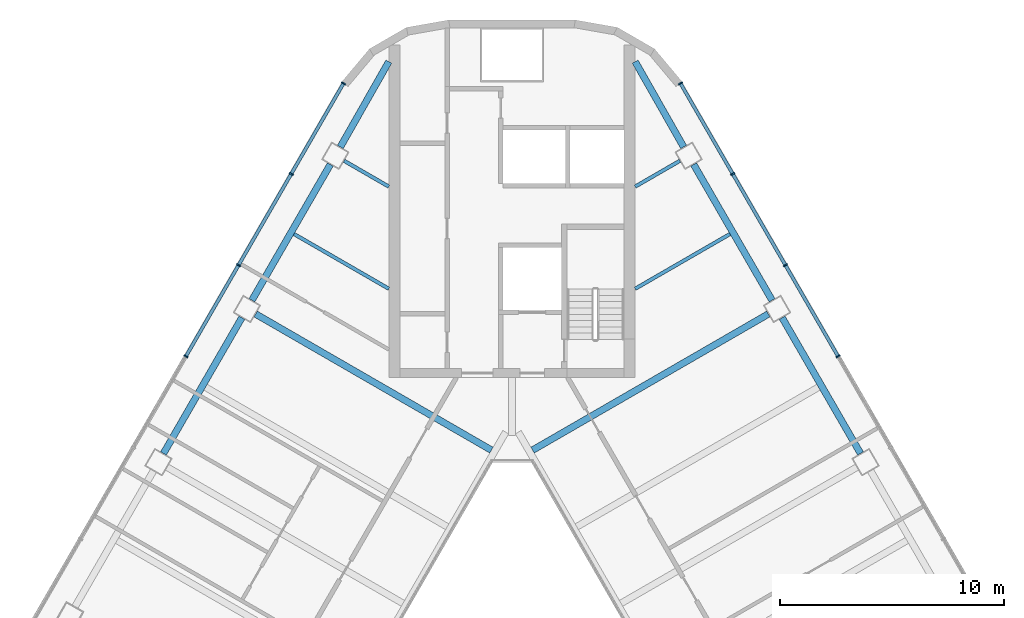
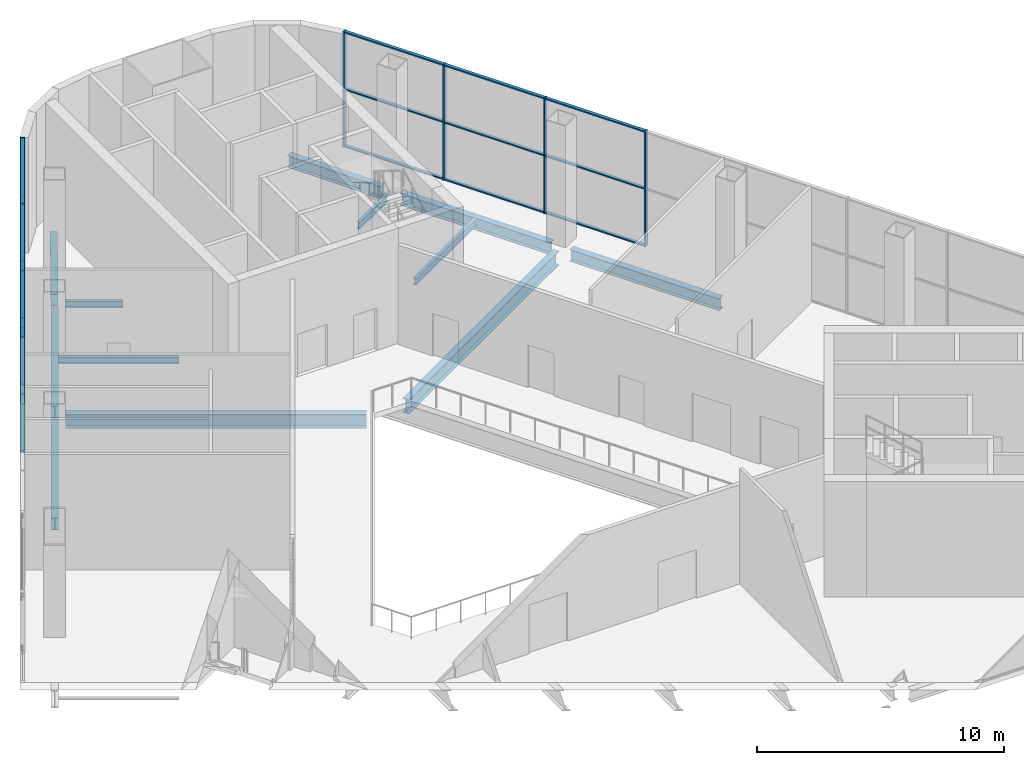
# One storey, part 5 of 14: 26 members, 12 beams, 2 elements without a shape of their own.
"""IFC4 building model written with IfcOpenShell, lengths in metres."""

from ifc_helpers import new_model, si_unit, direction, frame, origin, origin_2d, place, context, subcontext, project, spatial, rectangle, i_section, extrude, material, layer, layer_set, material_profile, profile_set, type_object, element, aggregate, save


model = new_model("IFC4")

# Units and contexts
model_context = context("Model", 3, precision=1e-05, world=origin(), true_north=direction((0.0, 1.0)))
body_context = subcontext(model_context, "Body", "Model", "MODEL_VIEW")
ifc_project = project(units=[si_unit("LENGTHUNIT", "METRE"), si_unit("AREAUNIT", "SQUARE_METRE"), si_unit("VOLUMEUNIT", "CUBIC_METRE"), si_unit("PLANEANGLEUNIT", "RADIAN"), si_unit("MASSUNIT", "GRAM", prefix="KILO")], contexts=[model_context])

# Site, building, storey
site_placement = place(None, origin())
site = spatial("IfcSite", under=ifc_project, at=site_placement, CompositionType="ELEMENT")
building_placement = place(site_placement, origin())
building = spatial("IfcBuilding", under=site, at=building_placement, Name="Apuvela Tower Hotel", CompositionType="ELEMENT")
storey_placement = place(building_placement, frame((0.0, 0.0, 131.60009765625)))
storey = spatial("IfcBuildingStorey", under=building, at=storey_placement, Name="L31", CompositionType="ELEMENT", Elevation=131.60009765625)

# Curtain wall, members
ifc_material_1 = material(Name="Aluminium 6063-T6, dark bronze anodised", Category="aluminium")
ifc_layer = layer(ifc_material_1, 0.199951171875)
ifc_layer_set = layer_set([ifc_layer], Name="ENV-CW-S")
curtain_wall_type = type_object("IfcCurtainWallType", Name="ENV-CW-S", PredefinedType="NOTDEFINED", material=ifc_layer_set)
curtain_wall_1_placement = place(storey_placement, origin())
curtain_wall_1 = element("IfcCurtainWall", 1, at=curtain_wall_1_placement, inside=storey, type_object=curtain_wall_type, Name="Curtain wall CW-S NE L31", PredefinedType="NOTDEFINED")
ifc_material_profile_1 = material_profile(ifc_material_1, rectangle(XDim=0.199951171875, YDim=0.06494140625, at=origin_2d()), Name="AL 65x200")
ifc_profile_set_1 = profile_set([ifc_material_profile_1], Name="Aluminium 6063-T6, dark bronze anodised")
member_type_1 = type_object("IfcMemberType", Name="ENV-MULLION-65x200", PredefinedType="MULLION", material=ifc_profile_set_1)
member_1_placement = place(storey_placement, frame((14.5615234375, 13.8388671875, 0.0), z_axis=(0.0, 0.0, 1.0), x_axis=(-0.866025924721, -0.49999909771, 0.0)))
member_1 = element("IfcMember", 2, at=member_1_placement, type_object=member_type_1, Name="CW-S mullion 6", PredefinedType="MULLION", context=body_context, shape_type="SweptSolid", body=[
    extrude(rectangle(XDim=0.199951171875, YDim=0.06494140625, at=origin_2d()), origin(), (0.0, 0.0, 1.0), 5.699951171875),
])
member_2_placement = place(storey_placement, frame((12.20947265625, 17.91259765625, 0.0), z_axis=(0.0, 0.0, 1.0), x_axis=(-0.866025924721, -0.49999909771, 0.0)))
member_2 = element("IfcMember", 3, at=member_2_placement, type_object=member_type_1, Name="CW-S mullion 7", PredefinedType="MULLION", context=body_context, shape_type="SweptSolid", body=[
    extrude(rectangle(XDim=0.199951171875, YDim=0.06494140625, at=origin_2d()), origin(), (0.0, 0.0, 1.0), 5.699951171875),
])
member_3_placement = place(storey_placement, frame((9.857666015625, 21.986328125, 0.0), z_axis=(0.0, 0.0, 1.0), x_axis=(-0.866025924721, -0.49999909771, 0.0)))
member_3 = element("IfcMember", 4, at=member_3_placement, type_object=member_type_1, Name="CW-S mullion 8", PredefinedType="MULLION", context=body_context, shape_type="SweptSolid", body=[
    extrude(rectangle(XDim=0.199951171875, YDim=0.06494140625, at=origin_2d()), origin(), (0.0, 0.0, 1.0), 5.699951171875),
])
member_4_placement = place(storey_placement, frame((7.521728515625, 26.03173828125, 0.0), z_axis=(0.0, 0.0, 1.0), x_axis=(-0.866025924721, -0.49999909771, 0.0)))
member_4 = element("IfcMember", 5, at=member_4_placement, type_object=member_type_1, Name="CW-S mullion 9", PredefinedType="MULLION", context=body_context, shape_type="SweptSolid", body=[
    extrude(rectangle(XDim=0.199951171875, YDim=0.06494140625, at=origin_2d()), origin(), (0.0, 0.0, 1.0), 5.699951171875),
])

curtain_wall_2_placement = place(storey_placement, origin())
curtain_wall_2 = element("IfcCurtainWall", 6, at=curtain_wall_2_placement, inside=storey, type_object=curtain_wall_type, Name="Curtain wall CW-S NW L31", PredefinedType="NOTDEFINED")
member_5_placement = place(storey_placement, frame((-7.521728515625, 26.03173828125, 0.0), z_axis=(0.0, 0.0, 1.0), x_axis=(0.866025924721, -0.49999909771, 0.0)))
member_5 = element("IfcMember", 7, at=member_5_placement, type_object=member_type_1, Name="CW-S mullion 1", PredefinedType="MULLION", context=body_context, shape_type="SweptSolid", body=[
    extrude(rectangle(XDim=0.199951171875, YDim=0.06494140625, at=origin_2d()), origin(), (0.0, 0.0, 1.0), 5.699951171875),
])
member_6_placement = place(storey_placement, frame((-9.857666015625, 21.986328125, 0.0), z_axis=(0.0, 0.0, 1.0), x_axis=(0.866025924721, -0.49999909771, 0.0)))
member_6 = element("IfcMember", 8, at=member_6_placement, type_object=member_type_1, Name="CW-S mullion 2", PredefinedType="MULLION", context=body_context, shape_type="SweptSolid", body=[
    extrude(rectangle(XDim=0.199951171875, YDim=0.06494140625, at=origin_2d()), origin(), (0.0, 0.0, 1.0), 5.699951171875),
])
member_7_placement = place(storey_placement, frame((-12.20947265625, 17.91259765625, 0.0), z_axis=(0.0, 0.0, 1.0), x_axis=(0.866025924721, -0.49999909771, 0.0)))
member_7 = element("IfcMember", 9, at=member_7_placement, type_object=member_type_1, Name="CW-S mullion 3", PredefinedType="MULLION", context=body_context, shape_type="SweptSolid", body=[
    extrude(rectangle(XDim=0.199951171875, YDim=0.06494140625, at=origin_2d()), origin(), (0.0, 0.0, 1.0), 5.699951171875),
])
member_8_placement = place(storey_placement, frame((-14.5615234375, 13.8388671875, 0.0), z_axis=(0.0, 0.0, 1.0), x_axis=(0.866025924721, -0.49999909771, 0.0)))
member_8 = element("IfcMember", 10, at=member_8_placement, type_object=member_type_1, Name="CW-S mullion 4", PredefinedType="MULLION", context=body_context, shape_type="SweptSolid", body=[
    extrude(rectangle(XDim=0.199951171875, YDim=0.06494140625, at=origin_2d()), origin(), (0.0, 0.0, 1.0), 5.699951171875),
])

# Member
ifc_material_profile_2 = material_profile(ifc_material_1, rectangle(XDim=0.14990234375, YDim=0.06494140625, at=origin_2d()), Name="AL 65x150 transom")
ifc_profile_set_2 = profile_set([ifc_material_profile_2], Name="Aluminium 6063-T6, dark bronze anodised")
member_type_2 = type_object("IfcMemberType", Name="ENV-TRANSOM-65x150", PredefinedType="USERDEFINED", material=ifc_profile_set_2)
member_9_placement = place(storey_placement, frame((14.545166015625, 13.866943359375, 0.032470703125), z_axis=(-0.499988210251, 0.866032210492, 0.0), x_axis=(-0.866032210492, -0.499988210251, 0.0)))
member_9 = element("IfcMember", 11, at=member_9_placement, type_object=member_type_2, Name="CW-S transom 6.1", ObjectType="TRANSOM", PredefinedType="USERDEFINED", context=body_context, shape_type="SweptSolid", body=[
    extrude(rectangle(XDim=0.14990234375, YDim=0.06494140625, at=origin_2d()), origin(), (0.0, 0.0, 1.0), 4.638671875),
])

member_10_placement = place(storey_placement, frame((14.545166015625, 13.866943359375, 2.849853515625), z_axis=(-0.499988210251, 0.866032210492, 0.0), x_axis=(-0.866032210492, -0.499988210251, 0.0)))
member_10 = element("IfcMember", 12, at=member_10_placement, type_object=member_type_2, Name="CW-S transom 6.2", ObjectType="TRANSOM", PredefinedType="USERDEFINED", context=body_context, shape_type="SweptSolid", body=[
    extrude(rectangle(XDim=0.14990234375, YDim=0.06494140625, at=origin_2d()), origin(), (0.0, 0.0, 1.0), 4.638671875),
])

member_11_placement = place(storey_placement, frame((14.545166015625, 13.866943359375, 5.66748046875), z_axis=(-0.499988210251, 0.866032210492, 0.0), x_axis=(-0.866032210492, -0.499988210251, 0.0)))
member_11 = element("IfcMember", 13, at=member_11_placement, type_object=member_type_2, Name="CW-S transom 6.3", ObjectType="TRANSOM", PredefinedType="USERDEFINED", context=body_context, shape_type="SweptSolid", body=[
    extrude(rectangle(XDim=0.14990234375, YDim=0.06494140625, at=origin_2d()), origin(), (0.0, 0.0, 1.0), 4.638671875),
])

member_12_placement = place(storey_placement, frame((12.193359375, 17.940673828125, 0.032470703125), z_axis=(-0.500027682067, 0.866009420946, 0.0), x_axis=(-0.866009420946, -0.500027682067, 0.0)))
member_12 = element("IfcMember", 14, at=member_12_placement, type_object=member_type_2, Name="CW-S transom 7.1", ObjectType="TRANSOM", PredefinedType="USERDEFINED", context=body_context, shape_type="SweptSolid", body=[
    extrude(rectangle(XDim=0.14990234375, YDim=0.06494140625, at=origin_2d()), origin(), (0.0, 0.0, 1.0), 4.638916015625),
])

member_13_placement = place(storey_placement, frame((12.193359375, 17.940673828125, 2.849853515625), z_axis=(-0.500027682067, 0.866009420946, 0.0), x_axis=(-0.866009420946, -0.500027682067, 0.0)))
member_13 = element("IfcMember", 15, at=member_13_placement, type_object=member_type_2, Name="CW-S transom 7.2", ObjectType="TRANSOM", PredefinedType="USERDEFINED", context=body_context, shape_type="SweptSolid", body=[
    extrude(rectangle(XDim=0.14990234375, YDim=0.06494140625, at=origin_2d()), origin(), (0.0, 0.0, 1.0), 4.638916015625),
])

member_14_placement = place(storey_placement, frame((12.193359375, 17.940673828125, 5.66748046875), z_axis=(-0.500027682067, 0.866009420946, 0.0), x_axis=(-0.866009420946, -0.500027682067, 0.0)))
member_14 = element("IfcMember", 16, at=member_14_placement, type_object=member_type_2, Name="CW-S transom 7.3", ObjectType="TRANSOM", PredefinedType="USERDEFINED", context=body_context, shape_type="SweptSolid", body=[
    extrude(rectangle(XDim=0.14990234375, YDim=0.06494140625, at=origin_2d()), origin(), (0.0, 0.0, 1.0), 4.638916015625),
])

member_15_placement = place(storey_placement, frame((9.84130859375, 22.014404296875, 0.032470703125), z_axis=(-0.500003839917, 0.866023186796, 0.0), x_axis=(-0.866023186796, -0.500003839917, 0.0)))
member_15 = element("IfcMember", 17, at=member_15_placement, type_object=member_type_2, Name="CW-S transom 8.1", ObjectType="TRANSOM", PredefinedType="USERDEFINED", context=body_context, shape_type="SweptSolid", body=[
    extrude(rectangle(XDim=0.14990234375, YDim=0.06494140625, at=origin_2d()), origin(), (0.0, 0.0, 1.0), 4.6064453125),
])

member_16_placement = place(storey_placement, frame((9.84130859375, 22.014404296875, 2.849853515625), z_axis=(-0.500003839917, 0.866023186796, 0.0), x_axis=(-0.866023186796, -0.500003839917, 0.0)))
member_16 = element("IfcMember", 18, at=member_16_placement, type_object=member_type_2, Name="CW-S transom 8.2", ObjectType="TRANSOM", PredefinedType="USERDEFINED", context=body_context, shape_type="SweptSolid", body=[
    extrude(rectangle(XDim=0.14990234375, YDim=0.06494140625, at=origin_2d()), origin(), (0.0, 0.0, 1.0), 4.6064453125),
])

member_17_placement = place(storey_placement, frame((9.84130859375, 22.014404296875, 5.66748046875), z_axis=(-0.500003839917, 0.866023186796, 0.0), x_axis=(-0.866023186796, -0.500003839917, 0.0)))
member_17 = element("IfcMember", 19, at=member_17_placement, type_object=member_type_2, Name="CW-S transom 8.3", ObjectType="TRANSOM", PredefinedType="USERDEFINED", context=body_context, shape_type="SweptSolid", body=[
    extrude(rectangle(XDim=0.14990234375, YDim=0.06494140625, at=origin_2d()), origin(), (0.0, 0.0, 1.0), 4.6064453125),
])

aggregate(curtain_wall_1, [member_1, member_2, member_3, member_4, member_9, member_10, member_11, member_12, member_13, member_14, member_15, member_16, member_17])

member_18_placement = place(storey_placement, frame((-7.5380859375, 26.003662109375, 0.032470703125), z_axis=(-0.500003839917, -0.866023186796, 0.0), x_axis=(0.866023186796, -0.500003839917, 0.0)))
member_18 = element("IfcMember", 20, at=member_18_placement, type_object=member_type_2, Name="CW-S transom 1.1", ObjectType="TRANSOM", PredefinedType="USERDEFINED", context=body_context, shape_type="SweptSolid", body=[
    extrude(rectangle(XDim=0.14990234375, YDim=0.06494140625, at=origin_2d()), origin(), (0.0, 0.0, 1.0), 4.6064453125),
])

member_19_placement = place(storey_placement, frame((-7.5380859375, 26.003662109375, 2.849853515625), z_axis=(-0.500003839917, -0.866023186796, 0.0), x_axis=(0.866023186796, -0.500003839917, 0.0)))
member_19 = element("IfcMember", 21, at=member_19_placement, type_object=member_type_2, Name="CW-S transom 1.2", ObjectType="TRANSOM", PredefinedType="USERDEFINED", context=body_context, shape_type="SweptSolid", body=[
    extrude(rectangle(XDim=0.14990234375, YDim=0.06494140625, at=origin_2d()), origin(), (0.0, 0.0, 1.0), 4.6064453125),
])

member_20_placement = place(storey_placement, frame((-7.5380859375, 26.003662109375, 5.66748046875), z_axis=(-0.500003839917, -0.866023186796, 0.0), x_axis=(0.866023186796, -0.500003839917, 0.0)))
member_20 = element("IfcMember", 22, at=member_20_placement, type_object=member_type_2, Name="CW-S transom 1.3", ObjectType="TRANSOM", PredefinedType="USERDEFINED", context=body_context, shape_type="SweptSolid", body=[
    extrude(rectangle(XDim=0.14990234375, YDim=0.06494140625, at=origin_2d()), origin(), (0.0, 0.0, 1.0), 4.6064453125),
])

member_21_placement = place(storey_placement, frame((-9.873779296875, 21.9580078125, 0.032470703125), z_axis=(-0.500027682067, -0.866009420946, 0.0), x_axis=(0.866009420946, -0.500027682067, 0.0)))
member_21 = element("IfcMember", 23, at=member_21_placement, type_object=member_type_2, Name="CW-S transom 2.1", ObjectType="TRANSOM", PredefinedType="USERDEFINED", context=body_context, shape_type="SweptSolid", body=[
    extrude(rectangle(XDim=0.14990234375, YDim=0.06494140625, at=origin_2d()), origin(), (0.0, 0.0, 1.0), 4.638916015625),
])

member_22_placement = place(storey_placement, frame((-9.873779296875, 21.9580078125, 2.849853515625), z_axis=(-0.500027682067, -0.866009420946, 0.0), x_axis=(0.866009420946, -0.500027682067, 0.0)))
member_22 = element("IfcMember", 24, at=member_22_placement, type_object=member_type_2, Name="CW-S transom 2.2", ObjectType="TRANSOM", PredefinedType="USERDEFINED", context=body_context, shape_type="SweptSolid", body=[
    extrude(rectangle(XDim=0.14990234375, YDim=0.06494140625, at=origin_2d()), origin(), (0.0, 0.0, 1.0), 4.638916015625),
])

member_23_placement = place(storey_placement, frame((-9.873779296875, 21.9580078125, 5.66748046875), z_axis=(-0.500027682067, -0.866009420946, 0.0), x_axis=(0.866009420946, -0.500027682067, 0.0)))
member_23 = element("IfcMember", 25, at=member_23_placement, type_object=member_type_2, Name="CW-S transom 2.3", ObjectType="TRANSOM", PredefinedType="USERDEFINED", context=body_context, shape_type="SweptSolid", body=[
    extrude(rectangle(XDim=0.14990234375, YDim=0.06494140625, at=origin_2d()), origin(), (0.0, 0.0, 1.0), 4.638916015625),
])

member_24_placement = place(storey_placement, frame((-12.225830078125, 17.88427734375, 0.032470703125), z_axis=(-0.499988210251, -0.866032210492, 0.0), x_axis=(0.866032210492, -0.499988210251, 0.0)))
member_24 = element("IfcMember", 26, at=member_24_placement, type_object=member_type_2, Name="CW-S transom 3.1", ObjectType="TRANSOM", PredefinedType="USERDEFINED", context=body_context, shape_type="SweptSolid", body=[
    extrude(rectangle(XDim=0.14990234375, YDim=0.06494140625, at=origin_2d()), origin(), (0.0, 0.0, 1.0), 4.638671875),
])

member_25_placement = place(storey_placement, frame((-12.225830078125, 17.88427734375, 2.849853515625), z_axis=(-0.499988210251, -0.866032210492, 0.0), x_axis=(0.866032210492, -0.499988210251, 0.0)))
member_25 = element("IfcMember", 27, at=member_25_placement, type_object=member_type_2, Name="CW-S transom 3.2", ObjectType="TRANSOM", PredefinedType="USERDEFINED", context=body_context, shape_type="SweptSolid", body=[
    extrude(rectangle(XDim=0.14990234375, YDim=0.06494140625, at=origin_2d()), origin(), (0.0, 0.0, 1.0), 4.638671875),
])

member_26_placement = place(storey_placement, frame((-12.225830078125, 17.88427734375, 5.66748046875), z_axis=(-0.499988210251, -0.866032210492, 0.0), x_axis=(0.866032210492, -0.499988210251, 0.0)))
member_26 = element("IfcMember", 28, at=member_26_placement, type_object=member_type_2, Name="CW-S transom 3.3", ObjectType="TRANSOM", PredefinedType="USERDEFINED", context=body_context, shape_type="SweptSolid", body=[
    extrude(rectangle(XDim=0.14990234375, YDim=0.06494140625, at=origin_2d()), origin(), (0.0, 0.0, 1.0), 4.638671875),
])

aggregate(curtain_wall_2, [member_5, member_6, member_7, member_8, member_18, member_19, member_20, member_21, member_22, member_23, member_24, member_25, member_26])

# Beams
ifc_material_2 = material(Name="Steel S355", Category="steel")
ifc_material_profile_3 = material_profile(ifc_material_2, i_section(OverallWidth=0.300048828125, OverallDepth=0.68994140625, WebThickness=0.014404296875, FlangeThickness=0.027099609375, at=origin_2d()), Name="HE 700 A")
ifc_profile_set_3 = profile_set([ifc_material_profile_3], Name="Steel S355")
beam_type_1 = type_object("IfcBeamType", Name="STR-B floor beam HE 700 A", PredefinedType="BEAM", material=ifc_profile_set_3)
for number, where, z_axis, x_axis, name in (
    (29, (11.447998046875, 15.731689453125, -0.59521484375), (-0.866025076934, -0.500000566121, 0.0), (0.500000566121, -0.866025076934, 0.0), "Floor beam B6 NE7"),
    (30, (-11.447998046875, 15.731689453125, -0.59521484375), (0.866025076934, -0.500000566121, 0.0), (0.500000566121, 0.866025076934, 0.0), "Floor beam B6 NW3"),
):
    element("IfcBeam", number, at=place(storey_placement, frame(where, z_axis=z_axis, x_axis=x_axis)), inside=storey, type_object=beam_type_1, Name=name, PredefinedType="BEAM", context=body_context, shape_type="SweptSolid", body=[
        extrude(i_section(OverallWidth=0.300048828125, OverallDepth=0.68994140625, WebThickness=0.014404296875, FlangeThickness=0.027099609375, at=origin_2d()), origin(), (0.0, 0.0, 1.0), 12.158203125),
    ])
ifc_material_profile_4 = material_profile(ifc_material_2, i_section(OverallWidth=0.159912109375, OverallDepth=0.330078125, WebThickness=0.007568359375, FlangeThickness=0.011474609375, at=origin_2d()), Name="IPE 330")
ifc_profile_set_4 = profile_set([ifc_material_profile_4], Name="Steel S355")
beam_type_2 = type_object("IfcBeamType", Name="STR-B floor beam IPE 330", PredefinedType="BEAM", material=ifc_profile_set_4)
beam_1_placement = place(storey_placement, frame((9.732666015625, 19.302490234375, -0.4150390625), z_axis=(-0.866015056278, -0.500017921979, 0.0), x_axis=(0.500017921979, -0.866015056278, 0.0)))
element("IfcBeam", 31, at=beam_1_placement, inside=storey, type_object=beam_type_2, Name="Floor beam B1 NE8", PredefinedType="BEAM", context=body_context, shape_type="SweptSolid", body=[
    extrude(i_section(OverallWidth=0.159912109375, OverallDepth=0.330078125, WebThickness=0.007568359375, FlangeThickness=0.011474609375, at=origin_2d()), origin(), (0.0, 0.0, 1.0), 4.887451171875),
])
for number, where, z_axis, x_axis, name in (
    (32, (7.497802734375, 22.5732421875, -0.4150390625), (-0.866000531106, -0.500043078269, 0.0), (0.500043078269, -0.866000531106, 0.0), "Floor beam B1 NE9"),
    (33, (-7.497802734375, 22.5732421875, -0.4150390625), (0.866000531106, -0.500043078269, 0.0), (0.500043078269, 0.866000531106, 0.0), "Floor beam B1 NW1"),
):
    element("IfcBeam", number, at=place(storey_placement, frame(where, z_axis=z_axis, x_axis=x_axis)), inside=storey, type_object=beam_type_2, Name=name, PredefinedType="BEAM", context=body_context, shape_type="SweptSolid", body=[
        extrude(i_section(OverallWidth=0.159912109375, OverallDepth=0.330078125, WebThickness=0.007568359375, FlangeThickness=0.011474609375, at=origin_2d()), origin(), (0.0, 0.0, 1.0), 2.306884765625),
    ])
beam_2_placement = place(storey_placement, frame((-9.732666015625, 19.302490234375, -0.4150390625), z_axis=(0.866015056278, -0.500017921979, 0.0), x_axis=(0.500017921979, 0.866015056278, 0.0)))
element("IfcBeam", 34, at=beam_2_placement, inside=storey, type_object=beam_type_2, Name="Floor beam B1 NW2", PredefinedType="BEAM", context=body_context, shape_type="SweptSolid", body=[
    extrude(i_section(OverallWidth=0.159912109375, OverallDepth=0.330078125, WebThickness=0.007568359375, FlangeThickness=0.011474609375, at=origin_2d()), origin(), (0.0, 0.0, 1.0), 4.887451171875),
])
ifc_material_profile_5 = material_profile(ifc_material_2, i_section(OverallWidth=0.300048828125, OverallDepth=0.590087890625, WebThickness=0.012939453125, FlangeThickness=0.02490234375, at=origin_2d()), Name="HE 600 A")
ifc_profile_set_5 = profile_set([ifc_material_profile_5], Name="Steel S355")
beam_type_3 = type_object("IfcBeamType", Name="STR-SB spandrel beam HE 600 A", PredefinedType="SPANDREL", material=ifc_profile_set_5)
for number, where, z_axis, x_axis, name in (
    (35, (15.5625, 9.504638671875, -0.545166015625), (-0.499995173006, 0.866028190633, 0.0), (-0.866028190633, -0.499995173006, 0.0), "Spandrel beam SB2 NE3"),
    (36, (11.612548828125, 16.34619140625, -0.545166015625), (-0.499995173006, 0.866028190633, 0.0), (-0.866028190633, -0.499995173006, 0.0), "Spandrel beam SB2 NE4"),
    (37, (-8.112548828125, 22.408447265625, -0.545166015625), (-0.499995173006, -0.866028190633, 0.0), (0.866028190633, -0.499995173006, 0.0), "Spandrel beam SB2 NW1"),
    (38, (-12.0625, 15.56689453125, -0.545166015625), (-0.499995173006, -0.866028190633, 0.0), (0.866028190633, -0.499995173006, 0.0), "Spandrel beam SB2 NW2"),
):
    element("IfcBeam", number, at=place(storey_placement, frame(where, z_axis=z_axis, x_axis=x_axis)), inside=storey, type_object=beam_type_3, Name=name, PredefinedType="SPANDREL", context=body_context, shape_type="SweptSolid", body=[
        extrude(i_section(OverallWidth=0.300048828125, OverallDepth=0.590087890625, WebThickness=0.012939453125, FlangeThickness=0.02490234375, at=origin_2d()), origin(), (0.0, 0.0, 1.0), 7.0),
    ])
for number, where, z_axis, x_axis, name in (
    (39, (7.665283203125, 23.189453125, -0.545166015625), (-0.494043860968, 0.869436980718, 0.0), (-0.869436980718, -0.494043860968, 0.0), "Spandrel beam SB2 NE5-N"),
    (40, (-7.665283203125, 23.189453125, -0.545166015625), (0.494043860968, 0.869436980718, 0.0), (-0.869436980718, 0.494043860968, 0.0), "Spandrel beam SB2 NW1-N"),
):
    element("IfcBeam", number, at=place(storey_placement, frame(where, z_axis=z_axis, x_axis=x_axis)), inside=storey, type_object=beam_type_3, Name=name, PredefinedType="SPANDREL", context=body_context, shape_type="SweptSolid", body=[
        extrude(i_section(OverallWidth=0.300048828125, OverallDepth=0.590087890625, WebThickness=0.012939453125, FlangeThickness=0.02490234375, at=origin_2d()), origin(), (0.0, 0.0, 1.0), 4.3828125),
    ])

save(model, "model.ifc")
